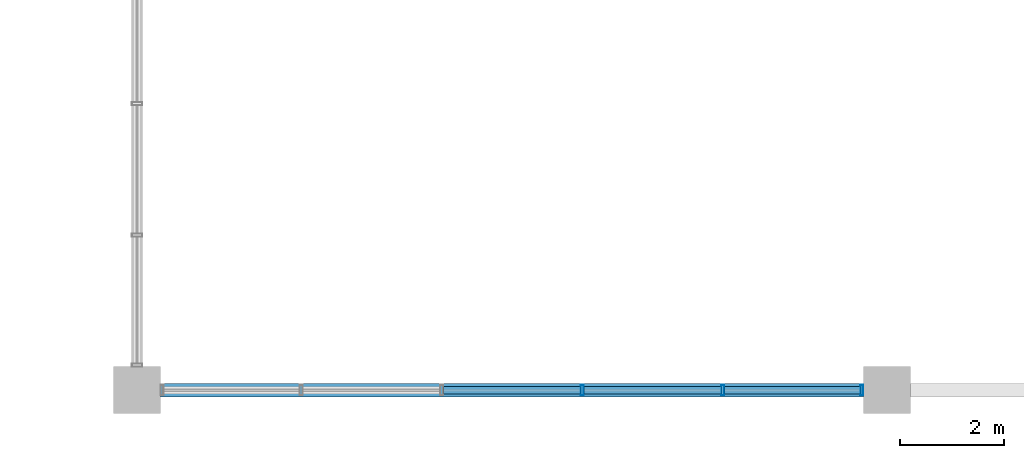
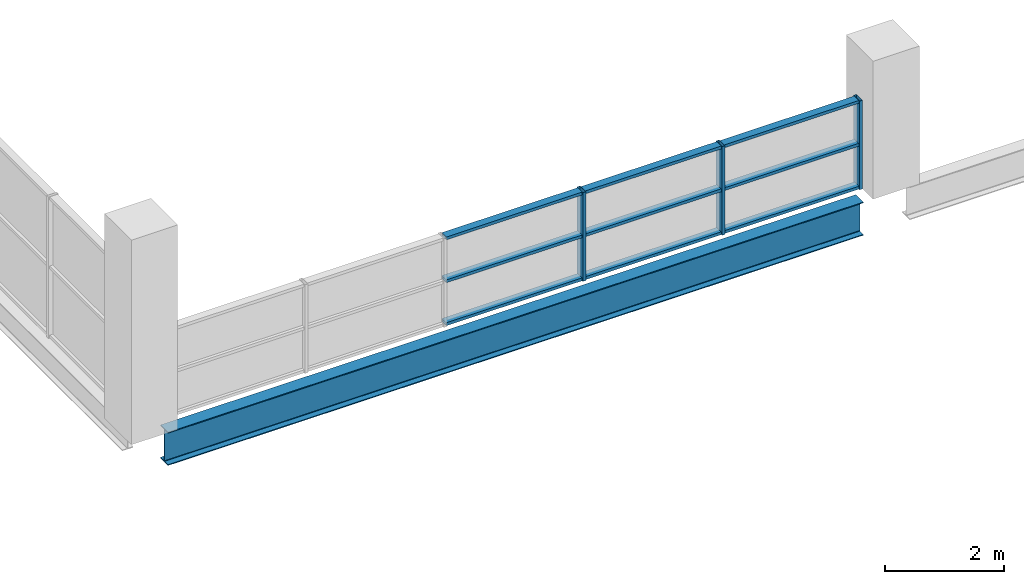
# One storey, part 16 of 68: 12 members, 1 beam, 1 element without a shape of its own.
"""IFC4 building model written with IfcOpenShell, lengths in metres."""

from ifc_helpers import new_model, si_unit, direction, frame, origin, origin_2d, place, context, subcontext, project, spatial, hollow_rectangle, i_section, extrude, material, material_profile, profile_set, type_object, element, aggregate, save


model = new_model("IFC4")

# Units and contexts
model_context = context("Model", 3, precision=1e-05, world=origin(), true_north=direction((0.0, 1.0)))
body_context = subcontext(model_context, "Body", "Model", "MODEL_VIEW")
ifc_project = project(units=[si_unit("LENGTHUNIT", "METRE"), si_unit("AREAUNIT", "SQUARE_METRE"), si_unit("VOLUMEUNIT", "CUBIC_METRE"), si_unit("PLANEANGLEUNIT", "RADIAN"), si_unit("MASSUNIT", "GRAM", prefix="KILO"), si_unit("THERMODYNAMICTEMPERATUREUNIT", "KELVIN")], contexts=[model_context])

# Site, building, storey
site_placement = place(None, origin())
site = spatial("IfcSite", under=ifc_project, at=site_placement, CompositionType="ELEMENT")
building_placement = place(site_placement, origin())
building = spatial("IfcBuilding", under=site, at=building_placement, Name="Nduvali Passage Aquatics Centre", CompositionType="ELEMENT")
storey_placement = place(building_placement, frame((0.0, 0.0, 13.199951171875)))
storey = spatial("IfcBuildingStorey", under=building, at=storey_placement, Name="L03", CompositionType="ELEMENT", Elevation=13.199951171875)

# Curtain wall, members
ifc_material_1 = material(Name="Aluminium EN AW-6063 T6", Category="aluminium")
curtain_wall_type = type_object("IfcCurtainWallType", Name="ENV-CW-CLER", PredefinedType="NOTDEFINED", material=ifc_material_1)
curtain_wall_placement = place(storey_placement, origin())
curtain_wall = element("IfcCurtainWall", 1, at=curtain_wall_placement, inside=storey, type_object=curtain_wall_type, Name="L03 South Pool Hall High Eave Clerestory 046", PredefinedType="NOTDEFINED")
ifc_material_profile_1 = material_profile(ifc_material_1, hollow_rectangle(XDim=0.06005859375, YDim=0.199951171875, WallThickness=0.00390625, at=origin_2d()), Name="ALU MULLION 60x200x4")
ifc_profile_set_1 = profile_set([ifc_material_profile_1], Name="Aluminium EN AW-6063 T6")
member_type_1 = type_object("IfcMemberType", Name="ENV-MEM-MUL80", PredefinedType="MULLION", material=ifc_profile_set_1)
member_1_placement = place(storey_placement, frame((33.75, 25.199951171875, 0.0), z_axis=(0.0, 0.0, 1.0), x_axis=(1.0, 0.0, 0.0)))
member_1 = element("IfcMember", 2, at=member_1_placement, type_object=member_type_1, Name="South Pool Hall High Eave Clerestory Mullion 4", PredefinedType="MULLION", context=body_context, shape_type="SweptSolid", body=[
    extrude(hollow_rectangle(XDim=0.06005859375, YDim=0.199951171875, WallThickness=0.00390625, at=origin_2d()), origin(), (0.0, 0.0, 1.0), 1.821044921875),
])
member_2_placement = place(storey_placement, frame((36.449951171875, 25.199951171875, 0.0), z_axis=(0.0, 0.0, 1.0), x_axis=(1.0, 0.0, 0.0)))
member_2 = element("IfcMember", 3, at=member_2_placement, type_object=member_type_1, Name="South Pool Hall High Eave Clerestory Mullion 5", PredefinedType="MULLION", context=body_context, shape_type="SweptSolid", body=[
    extrude(hollow_rectangle(XDim=0.06005859375, YDim=0.199951171875, WallThickness=0.00390625, at=origin_2d()), origin(), (0.0, 0.0, 1.0), 1.821044921875),
])
member_3_placement = place(storey_placement, frame((39.1201171875, 25.199951171875, 0.0), z_axis=(0.0, 0.0, 1.0), x_axis=(1.0, 0.0, 0.0)))
member_3 = element("IfcMember", 4, at=member_3_placement, type_object=member_type_1, Name="South Pool Hall High Eave Clerestory Mullion 6", PredefinedType="MULLION", context=body_context, shape_type="SweptSolid", body=[
    extrude(hollow_rectangle(XDim=0.06005859375, YDim=0.199951171875, WallThickness=0.00390625, at=origin_2d()), origin(), (0.0, 0.0, 1.0), 1.821044921875),
])
ifc_material_profile_2 = material_profile(ifc_material_1, hollow_rectangle(XDim=0.14990234375, YDim=0.06005859375, WallThickness=0.00390625, at=origin_2d()), Name="ALU TRANSOM 150x60x4")
ifc_profile_set_2 = profile_set([ifc_material_profile_2], Name="Aluminium EN AW-6063 T6")
member_type_2 = type_object("IfcMemberType", Name="ENV-MEM-TRN80", PredefinedType="USERDEFINED", material=ifc_profile_set_2)
member_4_placement = place(storey_placement, frame((31.080078125, 25.199951171875, 0.030029296875), z_axis=(1.0, 0.0, 0.0), x_axis=(0.0, 1.0, 0.0)))
member_4 = element("IfcMember", 5, at=member_4_placement, type_object=member_type_2, Name="South Pool Hall High Eave Clerestory Transom B3-R0", ObjectType="TRANSOM", PredefinedType="USERDEFINED", context=body_context, shape_type="SweptSolid", body=[
    extrude(hollow_rectangle(XDim=0.14990234375, YDim=0.06005859375, WallThickness=0.00390625, at=origin_2d()), origin(), (0.0, 0.0, 1.0), 2.639892578125),
])
member_5_placement = place(storey_placement, frame((31.080078125, 25.199951171875, 0.91064453125), z_axis=(1.0, 0.0, 0.0), x_axis=(0.0, 1.0, 0.0)))
member_5 = element("IfcMember", 6, at=member_5_placement, type_object=member_type_2, Name="South Pool Hall High Eave Clerestory Transom B3-R1", ObjectType="TRANSOM", PredefinedType="USERDEFINED", context=body_context, shape_type="SweptSolid", body=[
    extrude(hollow_rectangle(XDim=0.14990234375, YDim=0.06005859375, WallThickness=0.00390625, at=origin_2d()), origin(), (0.0, 0.0, 1.0), 2.639892578125),
])
member_6_placement = place(storey_placement, frame((31.080078125, 25.199951171875, 1.791015625), z_axis=(1.0, 0.0, 0.0), x_axis=(0.0, 1.0, 0.0)))
member_6 = element("IfcMember", 7, at=member_6_placement, type_object=member_type_2, Name="South Pool Hall High Eave Clerestory Transom B3-R2", ObjectType="TRANSOM", PredefinedType="USERDEFINED", context=body_context, shape_type="SweptSolid", body=[
    extrude(hollow_rectangle(XDim=0.14990234375, YDim=0.06005859375, WallThickness=0.00390625, at=origin_2d()), origin(), (0.0, 0.0, 1.0), 2.639892578125),
])
member_7_placement = place(storey_placement, frame((33.780029296875, 25.199951171875, 0.030029296875), z_axis=(1.0, 0.0, 0.0), x_axis=(0.0, 1.0, 0.0)))
member_7 = element("IfcMember", 8, at=member_7_placement, type_object=member_type_2, Name="South Pool Hall High Eave Clerestory Transom B4-R0", ObjectType="TRANSOM", PredefinedType="USERDEFINED", context=body_context, shape_type="SweptSolid", body=[
    extrude(hollow_rectangle(XDim=0.14990234375, YDim=0.06005859375, WallThickness=0.00390625, at=origin_2d()), origin(), (0.0, 0.0, 1.0), 2.639892578125),
])
member_8_placement = place(storey_placement, frame((33.780029296875, 25.199951171875, 0.91064453125), z_axis=(1.0, 0.0, 0.0), x_axis=(0.0, 1.0, 0.0)))
member_8 = element("IfcMember", 9, at=member_8_placement, type_object=member_type_2, Name="South Pool Hall High Eave Clerestory Transom B4-R1", ObjectType="TRANSOM", PredefinedType="USERDEFINED", context=body_context, shape_type="SweptSolid", body=[
    extrude(hollow_rectangle(XDim=0.14990234375, YDim=0.06005859375, WallThickness=0.00390625, at=origin_2d()), origin(), (0.0, 0.0, 1.0), 2.639892578125),
])
member_9_placement = place(storey_placement, frame((33.780029296875, 25.199951171875, 1.791015625), z_axis=(1.0, 0.0, 0.0), x_axis=(0.0, 1.0, 0.0)))
member_9 = element("IfcMember", 10, at=member_9_placement, type_object=member_type_2, Name="South Pool Hall High Eave Clerestory Transom B4-R2", ObjectType="TRANSOM", PredefinedType="USERDEFINED", context=body_context, shape_type="SweptSolid", body=[
    extrude(hollow_rectangle(XDim=0.14990234375, YDim=0.06005859375, WallThickness=0.00390625, at=origin_2d()), origin(), (0.0, 0.0, 1.0), 2.639892578125),
])
member_10_placement = place(storey_placement, frame((36.47998046875, 25.199951171875, 0.030029296875), z_axis=(1.0, 0.0, 0.0), x_axis=(0.0, 1.0, 0.0)))
member_10 = element("IfcMember", 11, at=member_10_placement, type_object=member_type_2, Name="South Pool Hall High Eave Clerestory Transom B5-R0", ObjectType="TRANSOM", PredefinedType="USERDEFINED", context=body_context, shape_type="SweptSolid", body=[
    extrude(hollow_rectangle(XDim=0.14990234375, YDim=0.06005859375, WallThickness=0.00390625, at=origin_2d()), origin(), (0.0, 0.0, 1.0), 2.610107421875),
])
member_11_placement = place(storey_placement, frame((36.47998046875, 25.199951171875, 0.91064453125), z_axis=(1.0, 0.0, 0.0), x_axis=(0.0, 1.0, 0.0)))
member_11 = element("IfcMember", 12, at=member_11_placement, type_object=member_type_2, Name="South Pool Hall High Eave Clerestory Transom B5-R1", ObjectType="TRANSOM", PredefinedType="USERDEFINED", context=body_context, shape_type="SweptSolid", body=[
    extrude(hollow_rectangle(XDim=0.14990234375, YDim=0.06005859375, WallThickness=0.00390625, at=origin_2d()), origin(), (0.0, 0.0, 1.0), 2.610107421875),
])
member_12_placement = place(storey_placement, frame((36.47998046875, 25.199951171875, 1.791015625), z_axis=(1.0, 0.0, 0.0), x_axis=(0.0, 1.0, 0.0)))
member_12 = element("IfcMember", 13, at=member_12_placement, type_object=member_type_2, Name="South Pool Hall High Eave Clerestory Transom B5-R2", ObjectType="TRANSOM", PredefinedType="USERDEFINED", context=body_context, shape_type="SweptSolid", body=[
    extrude(hollow_rectangle(XDim=0.14990234375, YDim=0.06005859375, WallThickness=0.00390625, at=origin_2d()), origin(), (0.0, 0.0, 1.0), 2.610107421875),
])
aggregate(curtain_wall, [member_1, member_2, member_3, member_4, member_5, member_6, member_7, member_8, member_9, member_10, member_11, member_12])

# Beam
ifc_material_2 = material(Name="Steel S355", Category="steel")
ifc_material_profile_3 = material_profile(ifc_material_2, i_section(OverallWidth=0.253662109375, OverallDepth=0.68359375, WebThickness=0.012451171875, FlangeThickness=0.01904296875, FilletRadius=0.01513671875, at=origin_2d()), Name="UKB 686x254x140")
ifc_profile_set_3 = profile_set([ifc_material_profile_3], Name="Steel S355")
beam_type = type_object("IfcBeamType", Name="STR-BM-UKB686-EXT", PredefinedType="BEAM", material=ifc_profile_set_3)
beam_placement = place(storey_placement, frame((25.64990234375, 25.199951171875, -0.595703125), z_axis=(1.0, 0.0, 0.0), x_axis=(0.0, 1.0, 0.0)))
element("IfcBeam", 14, at=beam_placement, inside=storey, type_object=beam_type, Name="L03 Primary X-Girder B4E-1201", PredefinedType="BEAM", context=body_context, shape_type="SweptSolid", body=[
    extrude(i_section(OverallWidth=0.253662109375, OverallDepth=0.68359375, WebThickness=0.012451171875, FlangeThickness=0.01904296875, FilletRadius=0.01513671875, at=origin_2d()), origin(), (0.0, 0.0, 1.0), 13.5),
])

save(model, "model.ifc")
